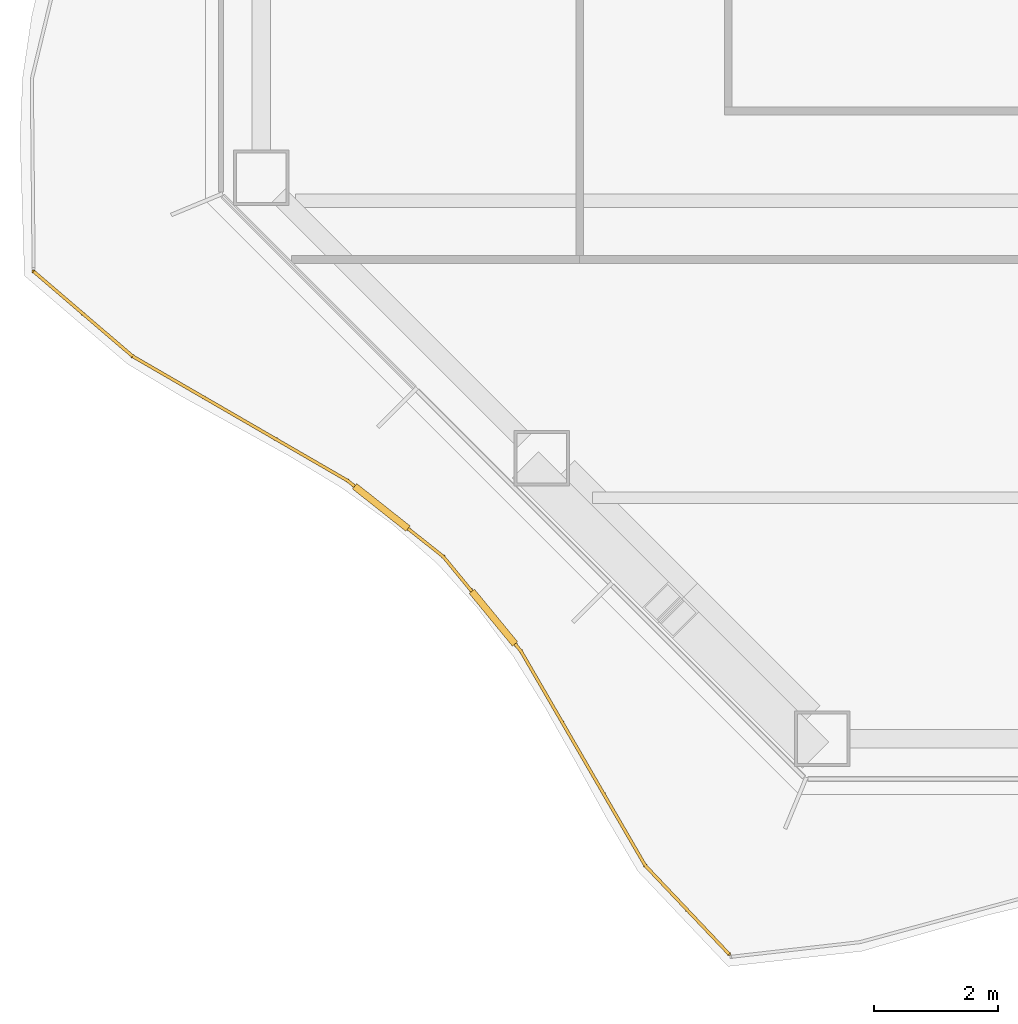
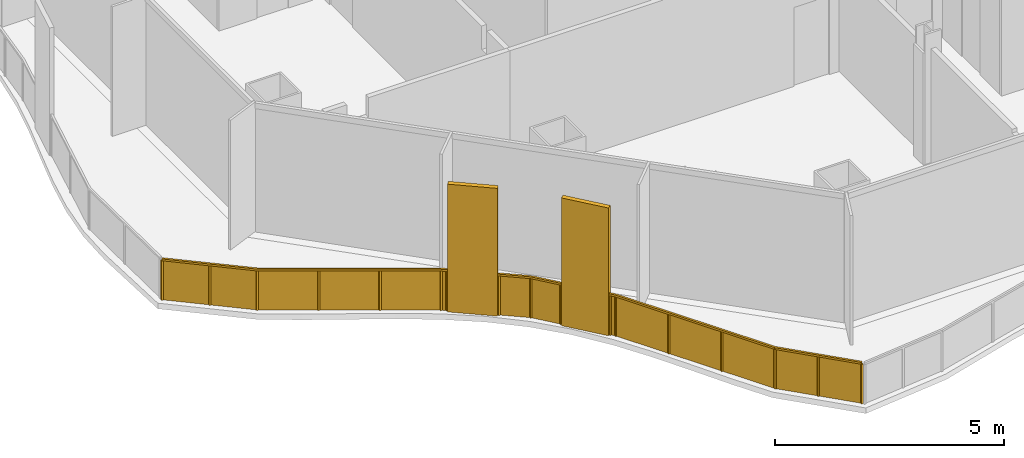
# One storey, part 14 of 20: 1 railing.
"""IFC4 building model written with IfcOpenShell, lengths in metres."""

from ifc_helpers import new_model, si_unit, direction, frame, origin, origin_2d, place, context, subcontext, project, spatial, polyline, rectangle, outline, extrude, material, type_object, element, save


model = new_model("IFC4")

# Units and contexts
model_context = context("Model", 3, precision=1e-05, world=origin(), true_north=direction((0.0, 1.0)))
body_context = subcontext(model_context, "Body", "Model", "MODEL_VIEW")
ifc_project = project(units=[si_unit("LENGTHUNIT", "METRE"), si_unit("AREAUNIT", "SQUARE_METRE"), si_unit("VOLUMEUNIT", "CUBIC_METRE"), si_unit("PLANEANGLEUNIT", "RADIAN"), si_unit("MASSUNIT", "GRAM", prefix="KILO")], contexts=[model_context])

# Site, building, storey
site_placement = place(None, origin())
site = spatial("IfcSite", under=ifc_project, at=site_placement, CompositionType="ELEMENT")
building_placement = place(site_placement, origin())
building = spatial("IfcBuilding", under=site, at=building_placement, Name="Cairn Pilgrim Tower", CompositionType="ELEMENT")
storey_placement = place(building_placement, frame((0.0, 0.0, 83.39990234375)))
storey = spatial("IfcBuildingStorey", under=building, at=storey_placement, Name="L19", CompositionType="ELEMENT", Elevation=83.39990234375)

# Railing
ifc_material = material(Name="Bronze anodised aluminium rail, posts and fin screens with laminated glass infill", Category="aluminium")
railing_type = type_object("IfcRailingType", Name="BALCONY GUARD WITH FIN SCREENS", PredefinedType="GUARDRAIL", material=ifc_material)
railing_placement = place(storey_placement, frame((-31.578125, -15.54296875, 0.0)))
element("IfcRailing", 1, at=railing_placement, inside=storey, type_object=railing_type, Name="Balcony guard BGF-8 with fin screens", PredefinedType="GUARDRAIL", context=body_context, shape_type="SweptSolid", body=[
    extrude(rectangle(XDim=0.050048828125, YDim=0.050048828125, at=origin_2d()), frame((0.0, 0.0, 1.0751953125), z_axis=(0.759362929352, -0.650667304793, 0.0), x_axis=(0.650667304793, 0.759362929352, 0.0)), (0.0, 0.0, 1.0), 2.10693359375),
    extrude(rectangle(XDim=0.050048828125, YDim=0.050048828125, at=origin_2d()), frame((1.599853515625, -1.370849609375, 1.0751953125), z_axis=(0.865473500733, -0.500954708061, 0.0), x_axis=(0.500954708061, 0.865473500733, 0.0)), (0.0, 0.0, 1.0), 4.011962890625),
    extrude(rectangle(XDim=1.10009765625, YDim=0.110107421875, at=origin_2d()), frame((5.62060546875, -3.8154296875, 0.0), z_axis=(0.0, 0.0, 1.0), x_axis=(0.783592922465, -0.621274602622, 0.0)), (0.0, 0.0, 1.0), 3.39990234375),
    extrude(rectangle(XDim=0.050048828125, YDim=0.050048828125, at=origin_2d()), frame((5.072021484375, -3.380615234375, 1.0751953125), z_axis=(0.783592922465, -0.621274602622, 0.0), x_axis=(0.621274602622, 0.783592922465, 0.0)), (0.0, 0.0, 1.0), 0.14990234375),
    extrude(rectangle(XDim=0.050048828125, YDim=0.050048828125, at=origin_2d()), frame((6.051513671875, -4.1572265625, 1.0751953125), z_axis=(0.783592922465, -0.621274602622, 0.0), x_axis=(0.621274602622, 0.783592922465, 0.0)), (0.0, 0.0, 1.0), 0.7294921875),
    extrude(rectangle(XDim=1.10009765625, YDim=0.110107421875, at=origin_2d()), frame((7.433349609375, -5.59716796875, 0.0), z_axis=(0.0, 0.0, 1.0), x_axis=(0.634628809565, -0.772817102599, 0.0)), (0.0, 0.0, 1.0), 3.39990234375),
    extrude(rectangle(XDim=0.050048828125, YDim=0.050048828125, at=origin_2d()), frame((6.623046875, -4.6103515625, 1.0751953125), z_axis=(0.634628809565, -0.772817102599, 0.0), x_axis=(0.772817102599, 0.634628809565, 0.0)), (0.0, 0.0, 1.0), 0.726806640625),
    extrude(rectangle(XDim=0.050048828125, YDim=0.050048828125, at=origin_2d()), frame((7.782470703125, -6.022216796875, 1.0751953125), z_axis=(0.634628809565, -0.772817102599, 0.0), x_axis=(0.772817102599, 0.634628809565, 0.0)), (0.0, 0.0, 1.0), 0.150146484375),
    extrude(rectangle(XDim=0.050048828125, YDim=0.050048828125, at=origin_2d()), frame((7.877685546875, -6.13818359375, 1.0751953125), z_axis=(0.501540345224, -0.865134256698, 0.0), x_axis=(0.865134256698, 0.501540345224, 0.0)), (0.0, 0.0, 1.0), 4.008544921875),
    extrude(rectangle(XDim=0.050048828125, YDim=0.050048828125, at=origin_2d()), frame((9.88818359375, -9.606201171875, 1.0751953125), z_axis=(0.687634629474, -0.726056896082, 0.0), x_axis=(0.726056896082, 0.687634629474, 0.0)), (0.0, 0.0, 1.0), 1.9697265625),
    extrude(rectangle(XDim=0.050048828125, YDim=0.050048828125, at=origin_2d()), origin(), (0.0, 0.0, 1.0), 1.050048828125),
    extrude(rectangle(XDim=0.050048828125, YDim=0.050048828125, at=origin_2d()), frame((0.7998046875, -0.685546875, 0.0)), (0.0, 0.0, 1.0), 1.050048828125),
    extrude(rectangle(XDim=0.050048828125, YDim=0.050048828125, at=origin_2d()), frame((1.599853515625, -1.370849609375, 0.0)), (0.0, 0.0, 1.0), 1.050048828125),
    extrude(rectangle(XDim=0.050048828125, YDim=0.050048828125, at=origin_2d()), frame((2.75732421875, -2.040771484375, 0.0)), (0.0, 0.0, 1.0), 1.050048828125),
    extrude(rectangle(XDim=0.050048828125, YDim=0.050048828125, at=origin_2d()), frame((3.91455078125, -2.710693359375, 0.0)), (0.0, 0.0, 1.0), 1.050048828125),
    extrude(rectangle(XDim=0.050048828125, YDim=0.050048828125, at=origin_2d()), frame((5.072021484375, -3.380615234375, 0.0)), (0.0, 0.0, 1.0), 1.050048828125),
    extrude(rectangle(XDim=0.050048828125, YDim=0.050048828125, at=origin_2d()), frame((5.169921875, -3.458251953125, 0.0)), (0.0, 0.0, 1.0), 1.050048828125),
    extrude(rectangle(XDim=0.050048828125, YDim=0.050048828125, at=origin_2d()), frame((6.071044921875, -4.1728515625, 0.0)), (0.0, 0.0, 1.0), 1.050048828125),
    extrude(rectangle(XDim=0.050048828125, YDim=0.050048828125, at=origin_2d()), frame((6.623046875, -4.6103515625, 0.0)), (0.0, 0.0, 1.0), 1.050048828125),
    extrude(rectangle(XDim=0.050048828125, YDim=0.050048828125, at=origin_2d()), frame((7.068603515625, -5.15283203125, 0.0)), (0.0, 0.0, 1.0), 1.050048828125),
    extrude(rectangle(XDim=0.050048828125, YDim=0.050048828125, at=origin_2d()), frame((7.79833984375, -6.04150390625, 0.0)), (0.0, 0.0, 1.0), 1.050048828125),
    extrude(rectangle(XDim=0.050048828125, YDim=0.050048828125, at=origin_2d()), frame((7.877685546875, -6.13818359375, 0.0)), (0.0, 0.0, 1.0), 1.050048828125),
    extrude(rectangle(XDim=0.050048828125, YDim=0.050048828125, at=origin_2d()), frame((8.5478515625, -7.294189453125, 0.0)), (0.0, 0.0, 1.0), 1.050048828125),
    extrude(rectangle(XDim=0.050048828125, YDim=0.050048828125, at=origin_2d()), frame((9.218017578125, -8.4501953125, 0.0)), (0.0, 0.0, 1.0), 1.050048828125),
    extrude(rectangle(XDim=0.050048828125, YDim=0.050048828125, at=origin_2d()), frame((9.88818359375, -9.606201171875, 0.0)), (0.0, 0.0, 1.0), 1.050048828125),
    extrude(rectangle(XDim=0.050048828125, YDim=0.050048828125, at=origin_2d()), frame((10.5654296875, -10.3212890625, 0.0)), (0.0, 0.0, 1.0), 1.050048828125),
    extrude(rectangle(XDim=0.050048828125, YDim=0.050048828125, at=origin_2d()), frame((11.24267578125, -11.036376953125, 0.0)), (0.0, 0.0, 1.0), 1.050048828125),
    extrude(outline(polyline([(0.02490234375, 0.0), (1.0283203125, 0.0), (1.0283203125, 1.050048828125), (0.02490234375, 1.050048828125), (0.02490234375, 0.0)])), frame((0.00390625, 0.004638671875, 0.0), z_axis=(-0.650667304793, -0.759362929352, 0.0), x_axis=(0.759362929352, -0.650667304793, 0.0)), (0.0, 0.0, 1.0), 0.011962890625),
    extrude(outline(polyline([(0.02490234375, 0.0), (1.0283203125, 0.0), (1.0283203125, 1.050048828125), (0.02490234375, 1.050048828125), (0.02490234375, 0.0)])), frame((0.8037109375, -0.680908203125, 0.0), z_axis=(-0.650667304793, -0.759362929352, 0.0), x_axis=(0.759362929352, -0.650667304793, 0.0)), (0.0, 0.0, 1.0), 0.011962890625),
    extrude(outline(polyline([(0.02490234375, 0.0), (1.312255859375, 0.0), (1.312255859375, 1.050048828125), (0.02490234375, 1.050048828125), (0.02490234375, 0.0)])), frame((1.602783203125, -1.36572265625, 0.0), z_axis=(-0.500954708061, -0.865473500733, 0.0), x_axis=(0.865473500733, -0.500954708061, 0.0)), (0.0, 0.0, 1.0), 0.011962890625),
    extrude(outline(polyline([(0.02490234375, 0.0), (1.312255859375, 0.0), (1.312255859375, 1.050048828125), (0.02490234375, 1.050048828125), (0.02490234375, 0.0)])), frame((2.76025390625, -2.03564453125, 0.0), z_axis=(-0.500954708061, -0.865473500733, 0.0), x_axis=(0.865473500733, -0.500954708061, 0.0)), (0.0, 0.0, 1.0), 0.011962890625),
    extrude(outline(polyline([(0.02490234375, 0.0), (1.312255859375, 0.0), (1.312255859375, 1.050048828125), (0.02490234375, 1.050048828125), (0.02490234375, 0.0)])), frame((3.917724609375, -2.70556640625, 0.0), z_axis=(-0.500954708061, -0.865473500733, 0.0), x_axis=(0.865473500733, -0.500954708061, 0.0)), (0.0, 0.0, 1.0), 0.011962890625),
    extrude(outline(polyline([(0.02490234375, 0.0), (0.099853515625, 0.0), (0.099853515625, 1.050048828125), (0.02490234375, 1.050048828125), (0.02490234375, 0.0)])), frame((5.07568359375, -3.3759765625, 0.0), z_axis=(-0.621274602622, -0.783592922465, 0.0), x_axis=(0.783592922465, -0.621274602622, 0.0)), (0.0, 0.0, 1.0), 0.011962890625),
    extrude(outline(polyline([(0.02490234375, 0.0), (0.679443359375, 0.0), (0.679443359375, 1.050048828125), (0.02490234375, 1.050048828125), (0.02490234375, 0.0)])), frame((6.074951171875, -4.16796875, 0.0), z_axis=(-0.621274602622, -0.783592922465, 0.0), x_axis=(0.783592922465, -0.621274602622, 0.0)), (0.0, 0.0, 1.0), 0.011962890625),
    extrude(outline(polyline([(0.02490234375, 0.0), (0.6767578125, 0.0), (0.6767578125, 1.050048828125), (0.02490234375, 1.050048828125), (0.02490234375, 0.0)])), frame((6.627685546875, -4.6064453125, 0.0), z_axis=(-0.772817102599, -0.634628809565, 0.0), x_axis=(0.634628809565, -0.772817102599, 0.0)), (0.0, 0.0, 1.0), 0.011962890625),
    extrude(outline(polyline([(0.02490234375, 0.0), (0.10009765625, 0.0), (0.10009765625, 1.050048828125), (0.02490234375, 1.050048828125), (0.02490234375, 0.0)])), frame((7.802978515625, -6.037841796875, 0.0), z_axis=(-0.772817102599, -0.634628809565, 0.0), x_axis=(0.634628809565, -0.772817102599, 0.0)), (0.0, 0.0, 1.0), 0.011962890625),
    extrude(outline(polyline([(0.02490234375, 0.0), (1.311279296875, 0.0), (1.311279296875, 1.050048828125), (0.02490234375, 1.050048828125), (0.02490234375, 0.0)])), frame((7.8828125, -6.13525390625, 0.0), z_axis=(-0.865134256698, -0.501540345224, 0.0), x_axis=(0.501540345224, -0.865134256698, 0.0)), (0.0, 0.0, 1.0), 0.011962890625),
    extrude(outline(polyline([(0.02490234375, 0.0), (1.311279296875, 0.0), (1.311279296875, 1.050048828125), (0.02490234375, 1.050048828125), (0.02490234375, 0.0)])), frame((8.552978515625, -7.291259765625, 0.0), z_axis=(-0.865134256698, -0.501540345224, 0.0), x_axis=(0.501540345224, -0.865134256698, 0.0)), (0.0, 0.0, 1.0), 0.011962890625),
    extrude(outline(polyline([(0.02490234375, 0.0), (1.311279296875, 0.0), (1.311279296875, 1.050048828125), (0.02490234375, 1.050048828125), (0.02490234375, 0.0)])), frame((9.22314453125, -8.447265625, 0.0), z_axis=(-0.865134256698, -0.501540345224, 0.0), x_axis=(0.501540345224, -0.865134256698, 0.0)), (0.0, 0.0, 1.0), 0.011962890625),
    extrude(outline(polyline([(0.02490234375, 0.0), (0.9599609375, 0.0), (0.9599609375, 1.050048828125), (0.02490234375, 1.050048828125), (0.02490234375, 0.0)])), frame((9.892578125, -9.60205078125, 0.0), z_axis=(-0.726056896082, -0.687634629474, 0.0), x_axis=(0.687634629474, -0.726056896082, 0.0)), (0.0, 0.0, 1.0), 0.011962890625),
    extrude(outline(polyline([(0.02490234375, 0.0), (0.9599609375, 0.0), (0.9599609375, 1.050048828125), (0.02490234375, 1.050048828125), (0.02490234375, 0.0)])), frame((10.56982421875, -10.317138671875, 0.0), z_axis=(-0.726056896082, -0.687634629474, 0.0), x_axis=(0.687634629474, -0.726056896082, 0.0)), (0.0, 0.0, 1.0), 0.011962890625),
])

save(model, "model.ifc")
